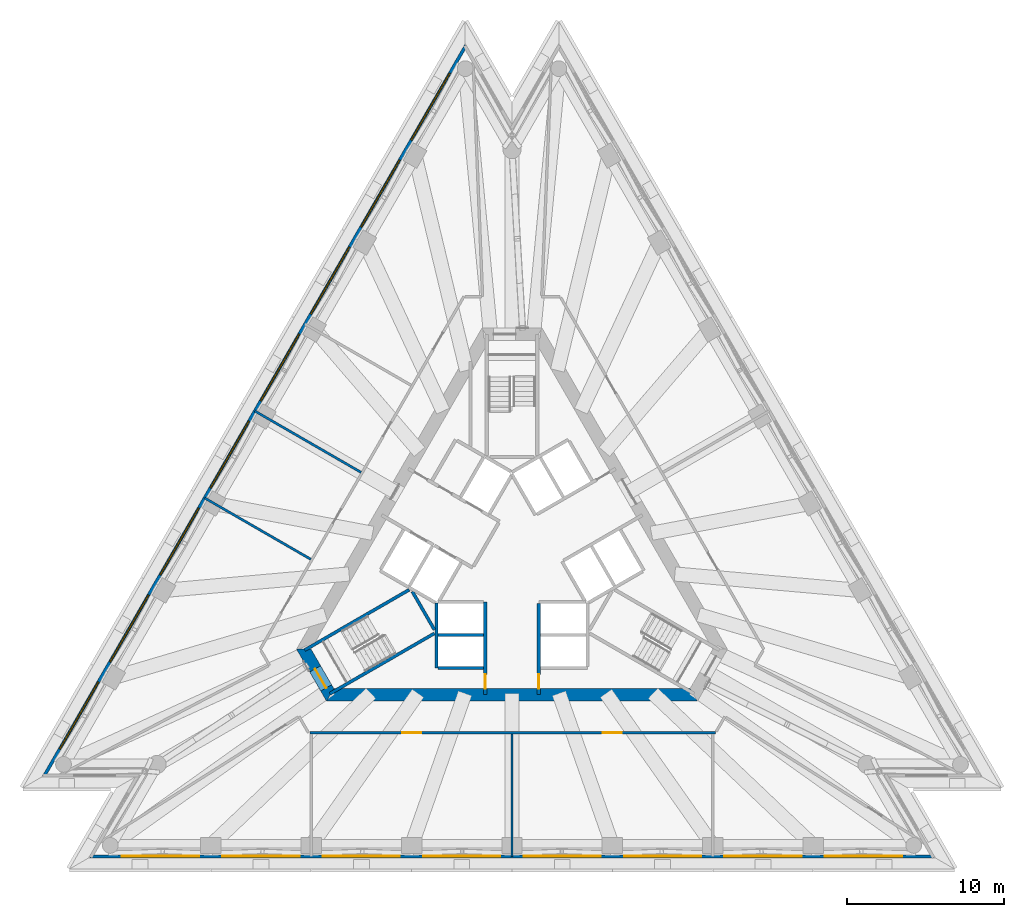
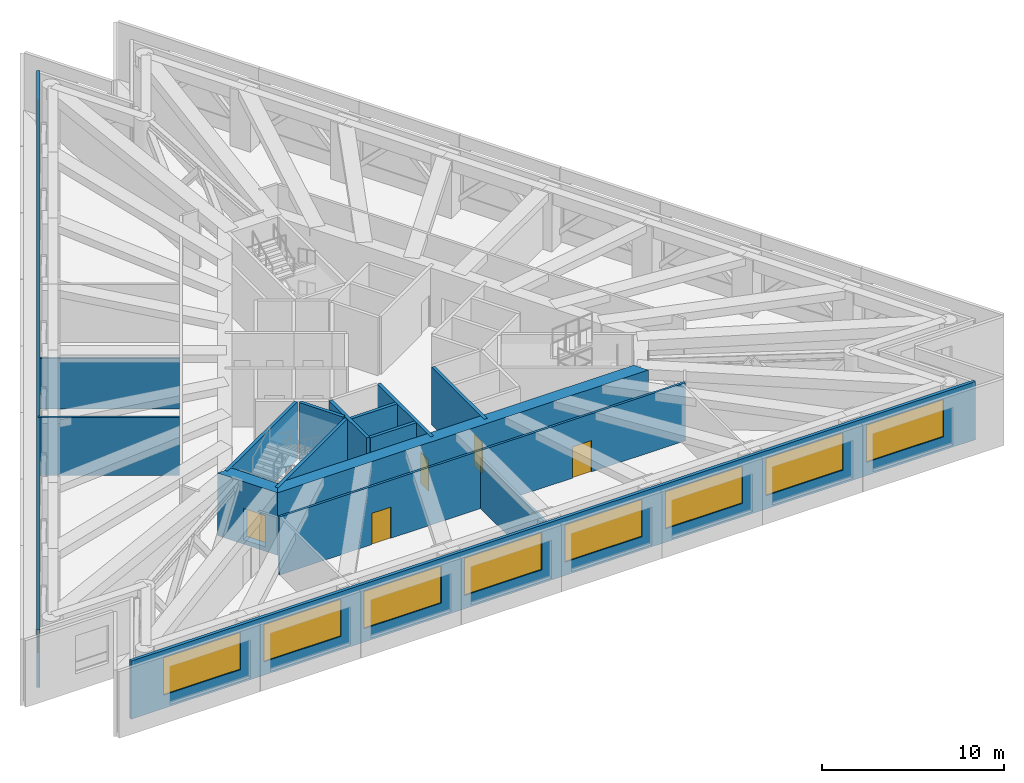
# One storey, part 7 of 13: 16 walls, 16 windows, 5 doors, 21 openings.
"""IFC4 building model written with IfcOpenShell, lengths in metres."""

from ifc_helpers import new_model, si_unit, direction, frame, frame_2d, origin, place, context, subcontext, project, spatial, polyline, rectangle, outline, extrude, material, layer, layer_set, layer_usage, type_object, element, fill, save


model = new_model("IFC4")

# Units and contexts
model_context = context("Model", 3, precision=1e-05, world=origin(), true_north=direction((0.0, 1.0)))
body_context = subcontext(model_context, "Body", "Model", "MODEL_VIEW")
ifc_project = project(units=[si_unit("LENGTHUNIT", "METRE"), si_unit("AREAUNIT", "SQUARE_METRE"), si_unit("VOLUMEUNIT", "CUBIC_METRE"), si_unit("PLANEANGLEUNIT", "RADIAN"), si_unit("MASSUNIT", "GRAM", prefix="KILO")], contexts=[model_context])

# Site, building, storey
site_placement = place(None, origin())
site = spatial("IfcSite", under=ifc_project, at=site_placement, CompositionType="ELEMENT")
building_placement = place(site_placement, origin())
building = spatial("IfcBuilding", under=site, at=building_placement, Name="Triada Interchange Tower", CompositionType="ELEMENT")
storey_placement = place(building_placement, frame((0.0, 0.0, 176.300048828125)))
storey = spatial("IfcBuildingStorey", under=building, at=storey_placement, Name="L41", CompositionType="ELEMENT", Elevation=176.300048828125)

# Walls
ifc_material_1 = material(Name="Concrete C30/37", Category="concrete")
ifc_layer_1 = layer(ifc_material_1, 0.199951171875)
ifc_layer_set_1 = layer_set([ifc_layer_1], Name="CORE WALL 200 EI 120")
wall_type_1 = type_object("IfcWallType", Name="CORE WALL 200 EI 120", PredefinedType="SOLIDWALL", material=ifc_layer_set_1)
wall_1_placement = place(storey_placement, frame((-4.800048828125, -6.89990234375, 0.0), z_axis=(0.0, 0.0, 1.0), x_axis=(0.0, 1.0, 0.0)))
element("IfcWall", 1, at=wall_1_placement, inside=storey, type_object=wall_type_1, Name="Wall L41 25", PredefinedType="SOLIDWALL", context=body_context, shape_type="SweptSolid", body=[
    extrude(rectangle(XDim=4.130859375, YDim=0.199951171875, at=frame_2d((2.0654296875, 0.0))), origin(), (0.0, 0.0, 1.0), 3.89990234375),
])
for number, where, z_axis, x_axis, name in (
    (2, (-4.699951171875, -6.89990234375, 0.0), (0.0, 0.0, 1.0), (1.0, 0.0, 0.0), "Wall L41 26"),
    (3, (-4.699951171875, -4.800048828125, 0.0), (0.0, 0.0, 1.0), (1.0, 0.0, 0.0), "Wall L41 28"),
):
    element("IfcWall", number, at=place(storey_placement, frame(where, z_axis=z_axis, x_axis=x_axis)), inside=storey, type_object=wall_type_1, Name=name, PredefinedType="SOLIDWALL", context=body_context, shape_type="SweptSolid", body=[
        extrude(rectangle(XDim=2.89990234375, YDim=0.199951171875, at=frame_2d((1.449951171875, 0.0))), origin(), (0.0, 0.0, 1.0), 3.89990234375),
    ])

# Wall, opening, door
wall_2_placement = place(storey_placement, frame((-1.699951171875, -8.580078125, 0.0), z_axis=(0.0, 0.0, 1.0), x_axis=(0.0, 1.0, 0.0)))
wall_2 = element("IfcWall", 4, at=wall_2_placement, inside=storey, type_object=wall_type_1, Name="Wall L41 30", PredefinedType="SOLIDWALL", context=body_context, shape_type="SweptSolid", body=[
    extrude(rectangle(XDim=5.877197265625, YDim=0.199951171875, at=frame_2d((2.9384765625, 0.0))), origin(), (0.0, 0.0, 1.0), 3.89990234375),
])
opening_1_placement = place(wall_2_placement, frame((0.3798828125, 0.0, 0.0)))
opening_1 = element("IfcOpeningElement", 5, at=opening_1_placement, cuts=wall_2, Name="Opening D41-20", PredefinedType="OPENING", context=body_context, shape_type="SweptSolid", body=[
    extrude(rectangle(XDim=0.89990234375, YDim=2.10009765625, at=frame_2d((0.449951171875, 1.050048828125))), frame((0.0, 0.10986328125, 0.0), z_axis=(0.0, -1.0, 0.0), x_axis=(1.0, 0.0, 0.0)), (0.0, 0.0, 1.0), 0.219970703125),
])
ifc_material_2 = material(Name="Steel S235 door leaf", Category="steel")
door_type_1 = type_object("IfcDoorType", Name="SERVICE DOOR 900 EI2 45-C5S200", OperationType="NOTDEFINED", PredefinedType="DOOR", material=ifc_material_2)
door_1_placement = place(opening_1_placement, origin())
door_1 = element("IfcDoor", 6, at=door_1_placement, inside=storey, type_object=door_type_1, Name="Door D41-20 L41", OperationType="SINGLE_SWING_RIGHT", OverallHeight=2.10009765625, OverallWidth=0.89990234375, PredefinedType="DOOR", context=body_context, shape_type="SweptSolid", body=[
    extrude(rectangle(XDim=0.89990234375, YDim=2.10009765625, at=frame_2d((0.449951171875, 1.050048828125))), frame((0.0, 0.02490234375, 0.0), z_axis=(0.0, -1.0, 0.0), x_axis=(1.0, 0.0, 0.0)), (0.0, 0.0, 1.0), 0.050048828125),
])
fill(opening_1, door_1)

wall_3_placement = place(storey_placement, frame((1.699951171875, -8.580078125, 0.0), z_axis=(0.0, 0.0, 1.0), x_axis=(0.0, 1.0, 0.0)))
wall_3 = element("IfcWall", 7, at=wall_3_placement, inside=storey, type_object=wall_type_1, Name="Wall L41 37", PredefinedType="SOLIDWALL", context=body_context, shape_type="SweptSolid", body=[
    extrude(rectangle(XDim=5.777099609375, YDim=0.199951171875, at=frame_2d((2.888671875, 0.0))), origin(), (0.0, 0.0, 1.0), 3.89990234375),
])
opening_2_placement = place(wall_3_placement, frame((0.3798828125, 0.0, 0.0)))
opening_2 = element("IfcOpeningElement", 8, at=opening_2_placement, cuts=wall_3, Name="Opening D41-23", PredefinedType="OPENING", context=body_context, shape_type="SweptSolid", body=[
    extrude(rectangle(XDim=0.89990234375, YDim=2.10009765625, at=frame_2d((0.449951171875, 1.050048828125))), frame((0.0, 0.10986328125, 0.0), z_axis=(0.0, -1.0, 0.0), x_axis=(1.0, 0.0, 0.0)), (0.0, 0.0, 1.0), 0.219970703125),
])
door_2_placement = place(opening_2_placement, origin())
door_2 = element("IfcDoor", 9, at=door_2_placement, inside=storey, type_object=door_type_1, Name="Door D41-23 L41", OperationType="SINGLE_SWING_LEFT", OverallHeight=2.10009765625, OverallWidth=0.89990234375, PredefinedType="DOOR", context=body_context, shape_type="SweptSolid", body=[
    extrude(rectangle(XDim=0.89990234375, YDim=2.10009765625, at=frame_2d((0.449951171875, 1.050048828125))), frame((0.0, 0.02490234375, 0.0), z_axis=(0.0, -1.0, 0.0), x_axis=(1.0, 0.0, 0.0)), (0.0, 0.0, 1.0), 0.050048828125),
])
fill(opening_2, door_2)

# Walls
ifc_layer_2 = layer(ifc_material_1, 0.199951171875)
ifc_layer_set_2 = layer_set([ifc_layer_2], Name="CORE WALL 200 REI 240")
wall_type_2 = type_object("IfcWallType", Name="CORE WALL 200 REI 240", PredefinedType="SOLIDWALL", material=ifc_layer_set_2)
wall_4_placement = place(storey_placement, frame((-13.1669921875, -5.75390625, 0.0), z_axis=(0.0, 0.0, 1.0), x_axis=(0.866060938598, 0.499938446846, 0.0)))
element("IfcWall", 10, at=wall_4_placement, inside=storey, type_object=wall_type_2, Name="Wall L41 61", PredefinedType="SOLIDWALL", context=body_context, shape_type="SweptSolid", body=[
    extrude(rectangle(XDim=7.66455078125, YDim=0.199951171875, at=frame_2d((3.832275390625, 0.0))), origin(), (0.0, 0.0, 1.0), 3.89990234375),
])
wall_5_placement = place(storey_placement, frame((-6.3291015625, -2.0380859375, 0.0), z_axis=(0.0, 0.0, 1.0), x_axis=(0.500200581029, -0.865909567298, 0.0)))
element("IfcWall", 11, at=wall_5_placement, inside=storey, type_object=wall_type_2, Name="Wall L41 62", PredefinedType="SOLIDWALL", context=body_context, shape_type="SweptSolid", body=[
    extrude(rectangle(XDim=2.799072265625, YDim=0.199951171875, at=frame_2d((1.3994140625, 0.0))), origin(), (0.0, 0.0, 1.0), 3.89990234375),
])
wall_6_placement = place(storey_placement, frame((-11.56689453125, -8.52587890625, 0.0), z_axis=(0.0, 0.0, 1.0), x_axis=(0.866005769735, 0.50003400563, 0.0)))
element("IfcWall", 12, at=wall_6_placement, inside=storey, type_object=wall_type_2, Name="Wall L41 63", PredefinedType="SOLIDWALL", context=body_context, shape_type="SweptSolid", body=[
    extrude(rectangle(XDim=7.6650390625, YDim=0.199951171875, at=frame_2d((3.83251953125, 0.0))), origin(), (0.0, 0.0, 1.0), 3.89990234375),
])

# Wall, opening, door
ifc_material_3 = material(Name="Concrete C60/75", Category="concrete")
ifc_layer_3 = layer(ifc_material_3, 0.800048828125)
ifc_layer_set_3 = layer_set([ifc_layer_3], Name="Core wall B 800")
wall_type_3 = type_object("IfcWallType", Name="Core wall B 800", PredefinedType="SHEAR", material=ifc_layer_set_3)
wall_7_placement = place(storey_placement, frame((-13.220947265625, -5.699951171875, -0.300048828125), z_axis=(0.0, 0.0, 1.0), x_axis=(0.49987182685, -0.866099391942, 0.0)))
wall_7 = element("IfcWall", 13, at=wall_7_placement, inside=storey, type_object=wall_type_3, Name="Core wall WB03 L41", PredefinedType="SHEAR", context=body_context, shape_type="SweptSolid", body=[
    extrude(outline(polyline([(-0.23095703125, -0.39990234375), (1.674072265625, -0.39990234375), (3.5791015625, -0.39990234375), (3.117919921875, 0.39990234375), (1.67431640625, 0.39990234375), (0.23095703125, 0.39990234375), (-0.23095703125, -0.39990234375)])), origin(), (0.0, 0.0, 1.0), 4.199951171875),
])
opening_3_placement = place(wall_7_placement, frame((1.43701171875, 0.0, 0.300048828125)))
opening_3 = element("IfcOpeningElement", 14, at=opening_3_placement, cuts=wall_7, Name="Opening D41-17", PredefinedType="OPENING", context=body_context, shape_type="SweptSolid", body=[
    extrude(rectangle(XDim=1.39990234375, YDim=2.10009765625, at=frame_2d((0.699951171875, 1.050048828125))), frame((0.0, 0.409912109375, 0.0), z_axis=(0.0, -1.0, 0.0), x_axis=(1.0, 0.0, 0.0)), (0.0, 0.0, 1.0), 0.820068359375),
])
door_type_2 = type_object("IfcDoorType", Name="STAIR DOOR 1400 EI2 90-C5S200", OperationType="DOUBLE_DOOR_SINGLE_SWING", PredefinedType="DOOR", material=ifc_material_2)
door_3_placement = place(opening_3_placement, origin())
door_3 = element("IfcDoor", 15, at=door_3_placement, inside=storey, type_object=door_type_2, Name="Door D41-17 L41", OperationType="DOUBLE_DOOR_SINGLE_SWING", OverallHeight=2.10009765625, OverallWidth=1.39990234375, PredefinedType="DOOR", context=body_context, shape_type="SweptSolid", body=[
    extrude(rectangle(XDim=1.39990234375, YDim=2.10009765625, at=frame_2d((0.699951171875, 1.050048828125))), frame((0.0, 0.02490234375, 0.0), z_axis=(0.0, -1.0, 0.0), x_axis=(1.0, 0.0, 0.0)), (0.0, 0.0, 1.0), 0.050048828125),
])
fill(opening_3, door_3)

# Wall
wall_8_placement = place(storey_placement, frame((-11.547119140625, -8.60009765625, -0.300048828125), z_axis=(0.0, 0.0, 1.0), x_axis=(1.0, 0.0, 0.0)))
element("IfcWall", 16, at=wall_8_placement, inside=storey, type_object=wall_type_3, Name="Core wall WB04 L41", PredefinedType="SHEAR", context=body_context, shape_type="SweptSolid", body=[
    extrude(outline(polyline([(-0.23095703125, -0.39990234375), (1.73193359375, -0.39990234375), (3.695068359375, -0.39990234375), (5.657958984375, -0.39990234375), (7.62109375, -0.39990234375), (9.583984375, -0.39990234375), (11.546875, -0.39990234375), (13.510009765625, -0.39990234375), (15.472900390625, -0.39990234375), (17.43603515625, -0.39990234375), (19.39892578125, -0.39990234375), (21.362060546875, -0.39990234375), (23.324951171875, -0.39990234375), (22.863037109375, 0.39990234375), (20.97705078125, 0.39990234375), (19.091064453125, 0.39990234375), (17.205078125, 0.39990234375), (15.319091796875, 0.39990234375), (13.43310546875, 0.39990234375), (11.546875, 0.39990234375), (9.660888671875, 0.39990234375), (7.77490234375, 0.39990234375), (5.888916015625, 0.39990234375), (4.0029296875, 0.39990234375), (2.116943359375, 0.39990234375), (0.23095703125, 0.39990234375), (-0.23095703125, -0.39990234375)])), origin(), (0.0, 0.0, 1.0), 4.199951171875),
])

# Wall, openings, windows
ifc_material_4 = material(Name="Cement board")
ifc_layer_4 = layer(ifc_material_4, 0.02001953125, Name="Cement board cladding")
ifc_material_5 = material(Name="Sheathing board")
ifc_layer_5 = layer(ifc_material_5, 0.014892578125, Name="Sheathing board")
ifc_material_6 = material(Name="Mineral wool")
ifc_layer_6 = layer(ifc_material_6, 0.14990234375, Name="Mineral wool between steel studs")
ifc_material_7 = material(Name="Gypsum board")
ifc_layer_7 = layer(ifc_material_7, 0.014892578125, Name="Plasterboard lining")
ifc_layer_set_4 = layer_set([ifc_layer_4, ifc_layer_5, ifc_layer_6, ifc_layer_7], Name="External wall 200")
ifc_layer_usage = layer_usage(ifc_layer_set_4, "AXIS2", "POSITIVE", -0.10009765625)
wall_type_4 = type_object("IfcWallType", Name="External wall 200", PredefinedType="ELEMENTEDWALL", material=ifc_layer_set_4)
wall_9_placement = place(storey_placement, frame((-2.926025390625, 32.654052734375, 0.0), z_axis=(0.0, 0.0, 1.0), x_axis=(-0.499994049952, -0.866028839019, 0.0)))
wall_9 = element("IfcWall", 17, at=wall_9_placement, inside=storey, type_object=wall_type_4, material=ifc_layer_usage, Name="External wall L41 NW", PredefinedType="ELEMENTEDWALL", context=body_context, shape_type="SweptSolid", body=[
    extrude(rectangle(XDim=53.612548828125, YDim=0.199951171875, at=frame_2d((26.80615234375, 0.0))), origin(), (0.0, 0.0, 1.0), 3.89990234375),
])
opening_4_placement = place(wall_9_placement, frame((2.0419921875, 0.0, 0.89990234375)))
opening_4 = element("IfcOpeningElement", 18, at=opening_4_placement, cuts=wall_9, Name="Opening WB01", PredefinedType="OPENING", context=body_context, shape_type="SweptSolid", body=[
    extrude(rectangle(XDim=4.89990234375, YDim=2.5, at=frame_2d((2.449951171875, 1.25))), frame((0.0, 0.10986328125, 0.0), z_axis=(0.0, -1.0, 0.0), x_axis=(1.0, 0.0, 0.0)), (0.0, 0.0, 1.0), 0.219970703125),
])
opening_5_placement = place(wall_9_placement, frame((8.419921875, 0.0, 0.89990234375)))
opening_5 = element("IfcOpeningElement", 19, at=opening_5_placement, cuts=wall_9, Name="Opening WB02", PredefinedType="OPENING", context=body_context, shape_type="SweptSolid", body=[
    extrude(rectangle(XDim=4.89990234375, YDim=2.5, at=frame_2d((2.449951171875, 1.25))), frame((0.0, 0.10986328125, 0.0), z_axis=(0.0, -1.0, 0.0), x_axis=(1.0, 0.0, 0.0)), (0.0, 0.0, 1.0), 0.219970703125),
])
opening_6_placement = place(wall_9_placement, frame((14.798095703125, 0.0, 0.89990234375)))
opening_6 = element("IfcOpeningElement", 20, at=opening_6_placement, cuts=wall_9, Name="Opening WB03", PredefinedType="OPENING", context=body_context, shape_type="SweptSolid", body=[
    extrude(rectangle(XDim=4.89990234375, YDim=2.5, at=frame_2d((2.449951171875, 1.25))), frame((0.0, 0.10986328125, 0.0), z_axis=(0.0, -1.0, 0.0), x_axis=(1.0, 0.0, 0.0)), (0.0, 0.0, 1.0), 0.219970703125),
])
opening_7_placement = place(wall_9_placement, frame((21.177001953125, 0.0, 0.89990234375)))
opening_7 = element("IfcOpeningElement", 21, at=opening_7_placement, cuts=wall_9, Name="Opening WB04", PredefinedType="OPENING", context=body_context, shape_type="SweptSolid", body=[
    extrude(rectangle(XDim=4.89990234375, YDim=2.5, at=frame_2d((2.449951171875, 1.25))), frame((0.0, 0.10986328125, 0.0), z_axis=(0.0, -1.0, 0.0), x_axis=(1.0, 0.0, 0.0)), (0.0, 0.0, 1.0), 0.219970703125),
])
opening_8_placement = place(wall_9_placement, frame((27.554931640625, 0.0, 0.89990234375)))
opening_8 = element("IfcOpeningElement", 22, at=opening_8_placement, cuts=wall_9, Name="Opening WB05", PredefinedType="OPENING", context=body_context, shape_type="SweptSolid", body=[
    extrude(rectangle(XDim=4.89990234375, YDim=2.5, at=frame_2d((2.449951171875, 1.25))), frame((0.0, 0.10986328125, 0.0), z_axis=(0.0, -1.0, 0.0), x_axis=(1.0, 0.0, 0.0)), (0.0, 0.0, 1.0), 0.219970703125),
])
opening_9_placement = place(wall_9_placement, frame((33.93408203125, 0.0, 0.89990234375)))
opening_9 = element("IfcOpeningElement", 23, at=opening_9_placement, cuts=wall_9, Name="Opening WB06", PredefinedType="OPENING", context=body_context, shape_type="SweptSolid", body=[
    extrude(rectangle(XDim=4.89990234375, YDim=2.5, at=frame_2d((2.449951171875, 1.25))), frame((0.0, 0.10986328125, 0.0), z_axis=(0.0, -1.0, 0.0), x_axis=(1.0, 0.0, 0.0)), (0.0, 0.0, 1.0), 0.219970703125),
])
opening_10_placement = place(wall_9_placement, frame((40.31201171875, 0.0, 0.89990234375)))
opening_10 = element("IfcOpeningElement", 24, at=opening_10_placement, cuts=wall_9, Name="Opening WB07", PredefinedType="OPENING", context=body_context, shape_type="SweptSolid", body=[
    extrude(rectangle(XDim=4.89990234375, YDim=2.5, at=frame_2d((2.449951171875, 1.25))), frame((0.0, 0.10986328125, 0.0), z_axis=(0.0, -1.0, 0.0), x_axis=(1.0, 0.0, 0.0)), (0.0, 0.0, 1.0), 0.219970703125),
])
opening_11_placement = place(wall_9_placement, frame((46.68994140625, 0.0, 0.89990234375)))
opening_11 = element("IfcOpeningElement", 25, at=opening_11_placement, cuts=wall_9, Name="Opening WB08", PredefinedType="OPENING", context=body_context, shape_type="SweptSolid", body=[
    extrude(rectangle(XDim=4.89990234375, YDim=2.5, at=frame_2d((2.449951171875, 1.25))), frame((0.0, 0.10986328125, 0.0), z_axis=(0.0, -1.0, 0.0), x_axis=(1.0, 0.0, 0.0)), (0.0, 0.0, 1.0), 0.219970703125),
])
ifc_material_8 = material(Name="Double glazed aluminium window", Category="aluminium")
window_type = type_object("IfcWindowType", Name="Ribbon window B face", PartitioningType="SINGLE_PANEL", PredefinedType="WINDOW", material=ifc_material_8)
window_1_placement = place(opening_4_placement, origin())
window_1 = element("IfcWindow", 26, at=window_1_placement, inside=storey, type_object=window_type, Name="Window L41 NW 1", OverallHeight=2.5, OverallWidth=4.89990234375, PartitioningType="SINGLE_PANEL", PredefinedType="WINDOW", context=body_context, shape_type="SweptSolid", body=[
    extrude(rectangle(XDim=4.89990234375, YDim=2.5, at=frame_2d((2.449951171875, 1.25))), frame((0.0, 0.030029296875, 0.0), z_axis=(0.0, -1.0, 0.0), x_axis=(1.0, 0.0, 0.0)), (0.0, 0.0, 1.0), 0.06005859375),
])
fill(opening_4, window_1)
window_2_placement = place(opening_5_placement, origin())
window_2 = element("IfcWindow", 27, at=window_2_placement, inside=storey, type_object=window_type, Name="Window L41 NW 2", OverallHeight=2.5, OverallWidth=4.89990234375, PartitioningType="SINGLE_PANEL", PredefinedType="WINDOW", context=body_context, shape_type="SweptSolid", body=[
    extrude(rectangle(XDim=4.89990234375, YDim=2.5, at=frame_2d((2.449951171875, 1.25))), frame((0.0, 0.030029296875, 0.0), z_axis=(0.0, -1.0, 0.0), x_axis=(1.0, 0.0, 0.0)), (0.0, 0.0, 1.0), 0.06005859375),
])
fill(opening_5, window_2)
window_3_placement = place(opening_6_placement, origin())
window_3 = element("IfcWindow", 28, at=window_3_placement, inside=storey, type_object=window_type, Name="Window L41 NW 3", OverallHeight=2.5, OverallWidth=4.89990234375, PartitioningType="SINGLE_PANEL", PredefinedType="WINDOW", context=body_context, shape_type="SweptSolid", body=[
    extrude(rectangle(XDim=4.89990234375, YDim=2.5, at=frame_2d((2.449951171875, 1.25))), frame((0.0, 0.030029296875, 0.0), z_axis=(0.0, -1.0, 0.0), x_axis=(1.0, 0.0, 0.0)), (0.0, 0.0, 1.0), 0.06005859375),
])
fill(opening_6, window_3)
window_4_placement = place(opening_7_placement, origin())
window_4 = element("IfcWindow", 29, at=window_4_placement, inside=storey, type_object=window_type, Name="Window L41 NW 4", OverallHeight=2.5, OverallWidth=4.89990234375, PartitioningType="SINGLE_PANEL", PredefinedType="WINDOW", context=body_context, shape_type="SweptSolid", body=[
    extrude(rectangle(XDim=4.89990234375, YDim=2.5, at=frame_2d((2.449951171875, 1.25))), frame((0.0, 0.030029296875, 0.0), z_axis=(0.0, -1.0, 0.0), x_axis=(1.0, 0.0, 0.0)), (0.0, 0.0, 1.0), 0.06005859375),
])
fill(opening_7, window_4)
window_5_placement = place(opening_8_placement, origin())
window_5 = element("IfcWindow", 30, at=window_5_placement, inside=storey, type_object=window_type, Name="Window L41 NW 5", OverallHeight=2.5, OverallWidth=4.89990234375, PartitioningType="SINGLE_PANEL", PredefinedType="WINDOW", context=body_context, shape_type="SweptSolid", body=[
    extrude(rectangle(XDim=4.89990234375, YDim=2.5, at=frame_2d((2.449951171875, 1.25))), frame((0.0, 0.030029296875, 0.0), z_axis=(0.0, -1.0, 0.0), x_axis=(1.0, 0.0, 0.0)), (0.0, 0.0, 1.0), 0.06005859375),
])
fill(opening_8, window_5)
window_6_placement = place(opening_9_placement, origin())
window_6 = element("IfcWindow", 31, at=window_6_placement, inside=storey, type_object=window_type, Name="Window L41 NW 6", OverallHeight=2.5, OverallWidth=4.89990234375, PartitioningType="SINGLE_PANEL", PredefinedType="WINDOW", context=body_context, shape_type="SweptSolid", body=[
    extrude(rectangle(XDim=4.89990234375, YDim=2.5, at=frame_2d((2.449951171875, 1.25))), frame((0.0, 0.030029296875, 0.0), z_axis=(0.0, -1.0, 0.0), x_axis=(1.0, 0.0, 0.0)), (0.0, 0.0, 1.0), 0.06005859375),
])
fill(opening_9, window_6)
window_7_placement = place(opening_10_placement, origin())
window_7 = element("IfcWindow", 32, at=window_7_placement, inside=storey, type_object=window_type, Name="Window L41 NW 7", OverallHeight=2.5, OverallWidth=4.89990234375, PartitioningType="SINGLE_PANEL", PredefinedType="WINDOW", context=body_context, shape_type="SweptSolid", body=[
    extrude(rectangle(XDim=4.89990234375, YDim=2.5, at=frame_2d((2.449951171875, 1.25))), frame((0.0, 0.030029296875, 0.0), z_axis=(0.0, -1.0, 0.0), x_axis=(1.0, 0.0, 0.0)), (0.0, 0.0, 1.0), 0.06005859375),
])
fill(opening_10, window_7)
window_8_placement = place(opening_11_placement, origin())
window_8 = element("IfcWindow", 33, at=window_8_placement, inside=storey, type_object=window_type, Name="Window L41 NW 8", OverallHeight=2.5, OverallWidth=4.89990234375, PartitioningType="SINGLE_PANEL", PredefinedType="WINDOW", context=body_context, shape_type="SweptSolid", body=[
    extrude(rectangle(XDim=4.89990234375, YDim=2.5, at=frame_2d((2.449951171875, 1.25))), frame((0.0, 0.030029296875, 0.0), z_axis=(0.0, -1.0, 0.0), x_axis=(1.0, 0.0, 0.0)), (0.0, 0.0, 1.0), 0.06005859375),
])
fill(opening_11, window_8)

wall_10_placement = place(storey_placement, frame((-26.81591796875, -18.861083984375, 0.0), z_axis=(0.0, 0.0, 1.0), x_axis=(1.0, 0.0, 0.0)))
wall_10 = element("IfcWall", 34, at=wall_10_placement, inside=storey, type_object=wall_type_4, material=ifc_layer_usage, Name="External wall L41 S", PredefinedType="ELEMENTEDWALL", context=body_context, shape_type="SweptSolid", body=[
    extrude(rectangle(XDim=53.61181640625, YDim=0.199951171875, at=frame_2d((26.805908203125, 0.0))), origin(), (0.0, 0.0, 1.0), 3.89990234375),
])
opening_12_placement = place(wall_10_placement, frame((2.0419921875, 0.0, 0.89990234375)))
opening_12 = element("IfcOpeningElement", 35, at=opening_12_placement, cuts=wall_10, Name="Opening WB11", PredefinedType="OPENING", context=body_context, shape_type="SweptSolid", body=[
    extrude(rectangle(XDim=4.89990234375, YDim=2.5, at=frame_2d((2.449951171875, 1.25))), frame((0.0, 0.10986328125, 0.0), z_axis=(0.0, -1.0, 0.0), x_axis=(1.0, 0.0, 0.0)), (0.0, 0.0, 1.0), 0.219970703125),
])
opening_13_placement = place(wall_10_placement, frame((8.419921875, 0.0, 0.89990234375)))
opening_13 = element("IfcOpeningElement", 36, at=opening_13_placement, cuts=wall_10, Name="Opening WB12", PredefinedType="OPENING", context=body_context, shape_type="SweptSolid", body=[
    extrude(rectangle(XDim=4.89990234375, YDim=2.5, at=frame_2d((2.449951171875, 1.25))), frame((0.0, 0.10986328125, 0.0), z_axis=(0.0, -1.0, 0.0), x_axis=(1.0, 0.0, 0.0)), (0.0, 0.0, 1.0), 0.219970703125),
])
opening_14_placement = place(wall_10_placement, frame((14.799072265625, 0.0, 0.89990234375)))
opening_14 = element("IfcOpeningElement", 37, at=opening_14_placement, cuts=wall_10, Name="Opening WB13", PredefinedType="OPENING", context=body_context, shape_type="SweptSolid", body=[
    extrude(rectangle(XDim=4.89990234375, YDim=2.5, at=frame_2d((2.449951171875, 1.25))), frame((0.0, 0.10986328125, 0.0), z_axis=(0.0, -1.0, 0.0), x_axis=(1.0, 0.0, 0.0)), (0.0, 0.0, 1.0), 0.219970703125),
])
opening_15_placement = place(wall_10_placement, frame((21.177001953125, 0.0, 0.89990234375)))
opening_15 = element("IfcOpeningElement", 38, at=opening_15_placement, cuts=wall_10, Name="Opening WB14", PredefinedType="OPENING", context=body_context, shape_type="SweptSolid", body=[
    extrude(rectangle(XDim=4.89990234375, YDim=2.5, at=frame_2d((2.449951171875, 1.25))), frame((0.0, 0.10986328125, 0.0), z_axis=(0.0, -1.0, 0.0), x_axis=(1.0, 0.0, 0.0)), (0.0, 0.0, 1.0), 0.219970703125),
])
opening_16_placement = place(wall_10_placement, frame((27.554931640625, 0.0, 0.89990234375)))
opening_16 = element("IfcOpeningElement", 39, at=opening_16_placement, cuts=wall_10, Name="Opening WB15", PredefinedType="OPENING", context=body_context, shape_type="SweptSolid", body=[
    extrude(rectangle(XDim=4.89990234375, YDim=2.5, at=frame_2d((2.449951171875, 1.25))), frame((0.0, 0.10986328125, 0.0), z_axis=(0.0, -1.0, 0.0), x_axis=(1.0, 0.0, 0.0)), (0.0, 0.0, 1.0), 0.219970703125),
])
opening_17_placement = place(wall_10_placement, frame((33.93310546875, 0.0, 0.89990234375)))
opening_17 = element("IfcOpeningElement", 40, at=opening_17_placement, cuts=wall_10, Name="Opening WB16", PredefinedType="OPENING", context=body_context, shape_type="SweptSolid", body=[
    extrude(rectangle(XDim=4.89990234375, YDim=2.5, at=frame_2d((2.449951171875, 1.25))), frame((0.0, 0.10986328125, 0.0), z_axis=(0.0, -1.0, 0.0), x_axis=(1.0, 0.0, 0.0)), (0.0, 0.0, 1.0), 0.219970703125),
])
opening_18_placement = place(wall_10_placement, frame((40.31201171875, 0.0, 0.89990234375)))
opening_18 = element("IfcOpeningElement", 41, at=opening_18_placement, cuts=wall_10, Name="Opening WB17", PredefinedType="OPENING", context=body_context, shape_type="SweptSolid", body=[
    extrude(rectangle(XDim=4.89990234375, YDim=2.5, at=frame_2d((2.449951171875, 1.25))), frame((0.0, 0.10986328125, 0.0), z_axis=(0.0, -1.0, 0.0), x_axis=(1.0, 0.0, 0.0)), (0.0, 0.0, 1.0), 0.219970703125),
])
opening_19_placement = place(wall_10_placement, frame((46.68994140625, 0.0, 0.89990234375)))
opening_19 = element("IfcOpeningElement", 42, at=opening_19_placement, cuts=wall_10, Name="Opening WB18", PredefinedType="OPENING", context=body_context, shape_type="SweptSolid", body=[
    extrude(rectangle(XDim=4.89990234375, YDim=2.5, at=frame_2d((2.449951171875, 1.25))), frame((0.0, 0.10986328125, 0.0), z_axis=(0.0, -1.0, 0.0), x_axis=(1.0, 0.0, 0.0)), (0.0, 0.0, 1.0), 0.219970703125),
])
window_9_placement = place(opening_12_placement, origin())
window_9 = element("IfcWindow", 43, at=window_9_placement, inside=storey, type_object=window_type, Name="Window L41 S 1", OverallHeight=2.5, OverallWidth=4.89990234375, PartitioningType="SINGLE_PANEL", PredefinedType="WINDOW", context=body_context, shape_type="SweptSolid", body=[
    extrude(rectangle(XDim=4.89990234375, YDim=2.5, at=frame_2d((2.449951171875, 1.25))), frame((0.0, 0.030029296875, 0.0), z_axis=(0.0, -1.0, 0.0), x_axis=(1.0, 0.0, 0.0)), (0.0, 0.0, 1.0), 0.06005859375),
])
fill(opening_12, window_9)
window_10_placement = place(opening_13_placement, origin())
window_10 = element("IfcWindow", 44, at=window_10_placement, inside=storey, type_object=window_type, Name="Window L41 S 2", OverallHeight=2.5, OverallWidth=4.89990234375, PartitioningType="SINGLE_PANEL", PredefinedType="WINDOW", context=body_context, shape_type="SweptSolid", body=[
    extrude(rectangle(XDim=4.89990234375, YDim=2.5, at=frame_2d((2.449951171875, 1.25))), frame((0.0, 0.030029296875, 0.0), z_axis=(0.0, -1.0, 0.0), x_axis=(1.0, 0.0, 0.0)), (0.0, 0.0, 1.0), 0.06005859375),
])
fill(opening_13, window_10)
window_11_placement = place(opening_14_placement, origin())
window_11 = element("IfcWindow", 45, at=window_11_placement, inside=storey, type_object=window_type, Name="Window L41 S 3", OverallHeight=2.5, OverallWidth=4.89990234375, PartitioningType="SINGLE_PANEL", PredefinedType="WINDOW", context=body_context, shape_type="SweptSolid", body=[
    extrude(rectangle(XDim=4.89990234375, YDim=2.5, at=frame_2d((2.449951171875, 1.25))), frame((0.0, 0.030029296875, 0.0), z_axis=(0.0, -1.0, 0.0), x_axis=(1.0, 0.0, 0.0)), (0.0, 0.0, 1.0), 0.06005859375),
])
fill(opening_14, window_11)
window_12_placement = place(opening_15_placement, origin())
window_12 = element("IfcWindow", 46, at=window_12_placement, inside=storey, type_object=window_type, Name="Window L41 S 4", OverallHeight=2.5, OverallWidth=4.89990234375, PartitioningType="SINGLE_PANEL", PredefinedType="WINDOW", context=body_context, shape_type="SweptSolid", body=[
    extrude(rectangle(XDim=4.89990234375, YDim=2.5, at=frame_2d((2.449951171875, 1.25))), frame((0.0, 0.030029296875, 0.0), z_axis=(0.0, -1.0, 0.0), x_axis=(1.0, 0.0, 0.0)), (0.0, 0.0, 1.0), 0.06005859375),
])
fill(opening_15, window_12)
window_13_placement = place(opening_16_placement, origin())
window_13 = element("IfcWindow", 47, at=window_13_placement, inside=storey, type_object=window_type, Name="Window L41 S 5", OverallHeight=2.5, OverallWidth=4.89990234375, PartitioningType="SINGLE_PANEL", PredefinedType="WINDOW", context=body_context, shape_type="SweptSolid", body=[
    extrude(rectangle(XDim=4.89990234375, YDim=2.5, at=frame_2d((2.449951171875, 1.25))), frame((0.0, 0.030029296875, 0.0), z_axis=(0.0, -1.0, 0.0), x_axis=(1.0, 0.0, 0.0)), (0.0, 0.0, 1.0), 0.06005859375),
])
fill(opening_16, window_13)
window_14_placement = place(opening_17_placement, origin())
window_14 = element("IfcWindow", 48, at=window_14_placement, inside=storey, type_object=window_type, Name="Window L41 S 6", OverallHeight=2.5, OverallWidth=4.89990234375, PartitioningType="SINGLE_PANEL", PredefinedType="WINDOW", context=body_context, shape_type="SweptSolid", body=[
    extrude(rectangle(XDim=4.89990234375, YDim=2.5, at=frame_2d((2.449951171875, 1.25))), frame((0.0, 0.030029296875, 0.0), z_axis=(0.0, -1.0, 0.0), x_axis=(1.0, 0.0, 0.0)), (0.0, 0.0, 1.0), 0.06005859375),
])
fill(opening_17, window_14)
window_15_placement = place(opening_18_placement, origin())
window_15 = element("IfcWindow", 49, at=window_15_placement, inside=storey, type_object=window_type, Name="Window L41 S 7", OverallHeight=2.5, OverallWidth=4.89990234375, PartitioningType="SINGLE_PANEL", PredefinedType="WINDOW", context=body_context, shape_type="SweptSolid", body=[
    extrude(rectangle(XDim=4.89990234375, YDim=2.5, at=frame_2d((2.449951171875, 1.25))), frame((0.0, 0.030029296875, 0.0), z_axis=(0.0, -1.0, 0.0), x_axis=(1.0, 0.0, 0.0)), (0.0, 0.0, 1.0), 0.06005859375),
])
fill(opening_18, window_15)
window_16_placement = place(opening_19_placement, origin())
window_16 = element("IfcWindow", 50, at=window_16_placement, inside=storey, type_object=window_type, Name="Window L41 S 8", OverallHeight=2.5, OverallWidth=4.89990234375, PartitioningType="SINGLE_PANEL", PredefinedType="WINDOW", context=body_context, shape_type="SweptSolid", body=[
    extrude(rectangle(XDim=4.89990234375, YDim=2.5, at=frame_2d((2.449951171875, 1.25))), frame((0.0, 0.030029296875, 0.0), z_axis=(0.0, -1.0, 0.0), x_axis=(1.0, 0.0, 0.0)), (0.0, 0.0, 1.0), 0.06005859375),
])
fill(opening_19, window_16)

# Wall, openings, doors
ifc_material_9 = material(Name="Gypsum board partition")
ifc_layer_8 = layer(ifc_material_9, 0.14990234375)
ifc_layer_set_5 = layer_set([ifc_layer_8], Name="PARTITION 150 EI 180")
wall_type_5 = type_object("IfcWallType", Name="PARTITION 150 EI 180", PredefinedType="PARTITIONING", material=ifc_layer_set_5)
wall_11_placement = place(storey_placement, frame((-12.845947265625, -11.0, 0.0), z_axis=(0.0, 0.0, 1.0), x_axis=(1.0, 0.0, 0.0)))
wall_11 = element("IfcWall", 51, at=wall_11_placement, inside=storey, type_object=wall_type_5, Name="Wall L41 6", PredefinedType="PARTITIONING", context=body_context, shape_type="SweptSolid", body=[
    extrude(rectangle(XDim=25.779052734375, YDim=0.14990234375, at=frame_2d((12.8896484375, 0.0))), origin(), (0.0, 0.0, 1.0), 3.89990234375),
])
opening_20_placement = place(wall_11_placement, frame((5.867919921875, 0.0, 0.0)))
opening_20 = element("IfcOpeningElement", 52, at=opening_20_placement, cuts=wall_11, Name="Opening D41-08", PredefinedType="OPENING", context=body_context, shape_type="SweptSolid", body=[
    extrude(rectangle(XDim=1.199951171875, YDim=2.10009765625, at=frame_2d((0.60009765625, 1.050048828125))), frame((0.0, 0.0849609375, 0.0), z_axis=(0.0, -1.0, 0.0), x_axis=(1.0, 0.0, 0.0)), (0.0, 0.0, 1.0), 0.169921875),
])
opening_21_placement = place(wall_11_placement, frame((18.6240234375, 0.0, 0.0)))
opening_21 = element("IfcOpeningElement", 53, at=opening_21_placement, cuts=wall_11, Name="Opening D41-09", PredefinedType="OPENING", context=body_context, shape_type="SweptSolid", body=[
    extrude(rectangle(XDim=1.199951171875, YDim=2.10009765625, at=frame_2d((0.60009765625, 1.050048828125))), frame((0.0, 0.0849609375, 0.0), z_axis=(0.0, -1.0, 0.0), x_axis=(1.0, 0.0, 0.0)), (0.0, 0.0, 1.0), 0.169921875),
])
door_type_3 = type_object("IfcDoorType", Name="DOUBLE ROOM DOOR 1200 EI2 45-C5S200", OperationType="DOUBLE_DOOR_SINGLE_SWING", PredefinedType="DOOR", material=ifc_material_2)
door_4_placement = place(opening_20_placement, origin())
door_4 = element("IfcDoor", 54, at=door_4_placement, inside=storey, type_object=door_type_3, Name="Door D41-08 L41", OperationType="DOUBLE_DOOR_SINGLE_SWING", OverallHeight=2.10009765625, OverallWidth=1.199951171875, PredefinedType="DOOR", context=body_context, shape_type="SweptSolid", body=[
    extrude(rectangle(XDim=1.199951171875, YDim=2.10009765625, at=frame_2d((0.60009765625, 1.050048828125))), frame((0.0, 0.02490234375, 0.0), z_axis=(0.0, -1.0, 0.0), x_axis=(1.0, 0.0, 0.0)), (0.0, 0.0, 1.0), 0.050048828125),
])
fill(opening_20, door_4)
door_5_placement = place(opening_21_placement, origin())
door_5 = element("IfcDoor", 55, at=door_5_placement, inside=storey, type_object=door_type_3, Name="Door D41-09 L41", OperationType="DOUBLE_DOOR_SINGLE_SWING", OverallHeight=2.10009765625, OverallWidth=1.199951171875, PredefinedType="DOOR", context=body_context, shape_type="SweptSolid", body=[
    extrude(rectangle(XDim=1.199951171875, YDim=2.10009765625, at=frame_2d((0.60009765625, 1.050048828125))), frame((0.0, 0.02490234375, 0.0), z_axis=(0.0, -1.0, 0.0), x_axis=(1.0, 0.0, 0.0)), (0.0, 0.0, 1.0), 0.050048828125),
])
fill(opening_21, door_5)

# Walls
wall_12_placement = place(storey_placement, frame((-19.52294921875, 3.906982421875, 0.0), z_axis=(0.0, 0.0, 1.0), x_axis=(0.866023191782, -0.500003831281, 0.0)))
element("IfcWall", 56, at=wall_12_placement, inside=storey, type_object=wall_type_5, Name="Wall L41 7", PredefinedType="PARTITIONING", context=body_context, shape_type="SweptSolid", body=[
    extrude(rectangle(XDim=7.7861328125, YDim=0.14990234375, at=frame_2d((3.89306640625, 0.0))), origin(), (0.0, 0.0, 1.0), 3.89990234375),
])
wall_13_placement = place(storey_placement, frame((-16.333984375, 9.429931640625, 0.0), z_axis=(0.0, 0.0, 1.0), x_axis=(0.86603676932, -0.499980313799, 0.0)))
element("IfcWall", 57, at=wall_13_placement, inside=storey, type_object=wall_type_5, Name="Wall L41 8", PredefinedType="PARTITIONING", context=body_context, shape_type="SweptSolid", body=[
    extrude(rectangle(XDim=7.785888671875, YDim=0.14990234375, at=frame_2d((3.89306640625, 0.0))), origin(), (0.0, 0.0, 1.0), 3.39990234375),
])
wall_14_placement = place(storey_placement, frame((0.0, -18.861083984375, 0.0), z_axis=(0.0, 0.0, 1.0), x_axis=(0.0, 1.0, 0.0)))
element("IfcWall", 58, at=wall_14_placement, inside=storey, type_object=wall_type_5, Name="Wall L41 14", PredefinedType="PARTITIONING", context=body_context, shape_type="SweptSolid", body=[
    extrude(rectangle(XDim=7.7861328125, YDim=0.14990234375, at=frame_2d((3.89306640625, 0.0))), origin(), (0.0, 0.0, 1.0), 3.39990234375),
])

save(model, "model.ifc")
